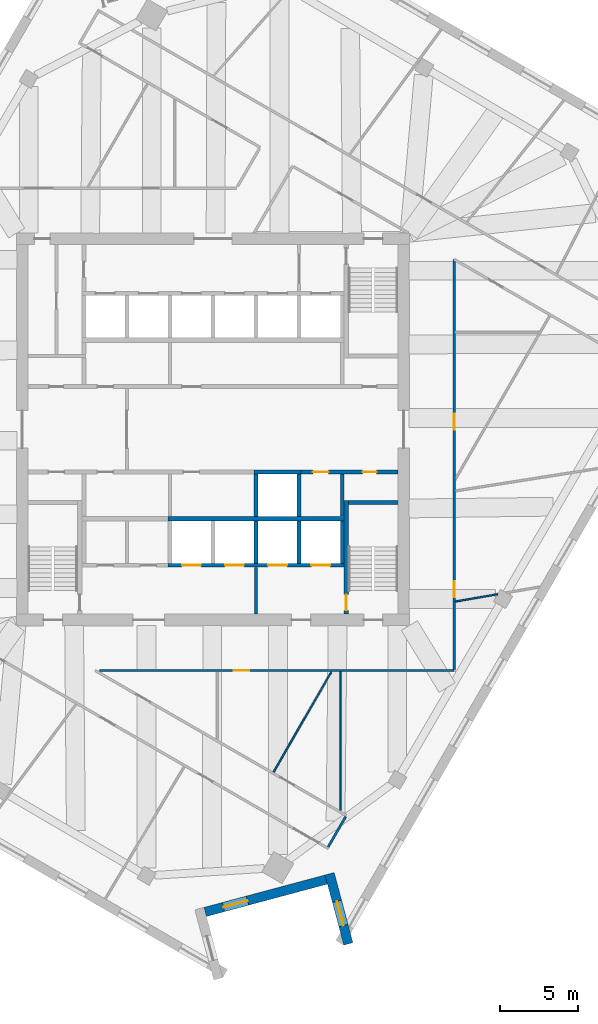
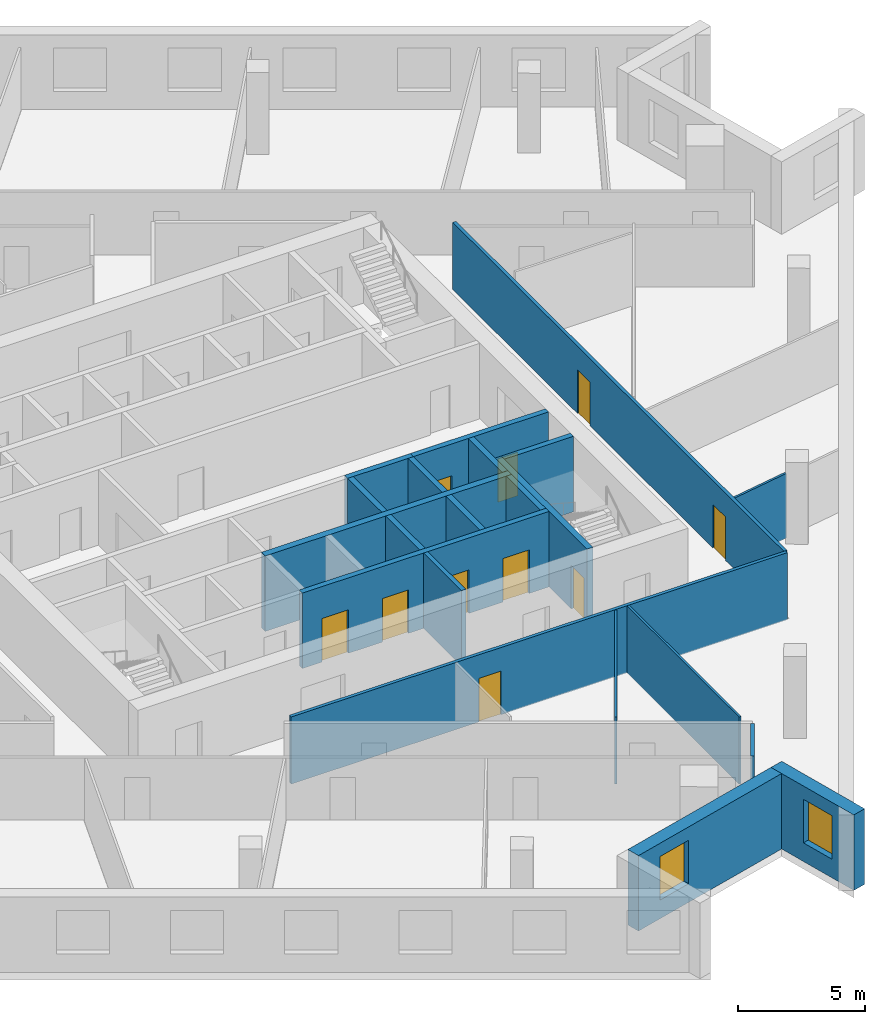
# One storey, part 7 of 13: 21 walls, 10 doors, 2 windows, 12 openings.
"""IFC4 building model written with IfcOpenShell, lengths in metres."""

from ifc_helpers import new_model, si_unit, direction, frame, frame_2d, origin, place, context, subcontext, project, spatial, rectangle, extrude, material, layer, layer_set, type_object, element, fill, save


model = new_model("IFC4")

# Units and contexts
model_context = context("Model", 3, precision=1e-05, world=origin(), true_north=direction((0.0, 1.0)))
body_context = subcontext(model_context, "Body", "Model", "MODEL_VIEW")
ifc_project = project(units=[si_unit("LENGTHUNIT", "METRE"), si_unit("AREAUNIT", "SQUARE_METRE"), si_unit("VOLUMEUNIT", "CUBIC_METRE"), si_unit("PLANEANGLEUNIT", "RADIAN"), si_unit("MASSUNIT", "GRAM", prefix="KILO")], contexts=[model_context])

# Site, building, storey
site_placement = place(None, origin())
site = spatial("IfcSite", under=ifc_project, at=site_placement, CompositionType="ELEMENT")
building_placement = place(site_placement, origin())
building = spatial("IfcBuilding", under=site, at=building_placement, Name="Dilmun Exchange Tower", CompositionType="ELEMENT")
storey_placement = place(building_placement, frame((0.0, 0.0, 270.89990234375)))
storey = spatial("IfcBuildingStorey", under=building, at=storey_placement, Name="L64", CompositionType="ELEMENT", Elevation=270.89990234375)

# Walls
ifc_material_1 = material(Name="Concrete C40/50", Category="concrete")
ifc_layer_1 = layer(ifc_material_1, 0.199951171875)
ifc_layer_set_1 = layer_set([ifc_layer_1], Name="Concrete C40/50")
wall_type_1 = type_object("IfcWallType", Name="Core partition wall 200", PredefinedType="PARTITIONING", material=ifc_layer_set_1)
wall_1_placement = place(storey_placement, frame((2.75, -11.794921875, 0.0), z_axis=(0.0, 0.0, 1.0), x_axis=(0.0, 1.0, 0.0)))
element("IfcWall", 1, at=wall_1_placement, inside=storey, type_object=wall_type_1, Name="L64 core partition wall 01", PredefinedType="PARTITIONING", context=body_context, shape_type="SweptSolid", body=[
    extrude(rectangle(XDim=2.989990234375, YDim=0.199951171875, at=frame_2d((1.4951171875, 0.0))), origin(), (0.0, 0.0, 1.0), 3.64013671875),
])
ifc_layer_2 = layer(ifc_material_1, 0.25)
ifc_layer_set_2 = layer_set([ifc_layer_2], Name="Concrete C40/50")
wall_type_2 = type_object("IfcWallType", Name="Core partition wall 250", PredefinedType="PARTITIONING", material=ifc_layer_set_2)
wall_2_placement = place(storey_placement, frame((8.25, -5.544921875, 0.0), z_axis=(0.0, 0.0, 1.0), x_axis=(0.0, 1.0, 0.0)))
element("IfcWall", 2, at=wall_2_placement, inside=storey, type_object=wall_type_2, Name="L64 core partition wall 08", PredefinedType="PARTITIONING", context=body_context, shape_type="SweptSolid", body=[
    extrude(rectangle(XDim=2.68994140625, YDim=0.25, at=frame_2d((1.344970703125, 0.0))), origin(), (0.0, 0.0, 1.0), 3.64013671875),
])

# Wall, openings, doors
wall_3_placement = place(storey_placement, frame((5.6298828125, -2.72509765625, 0.0), z_axis=(0.0, 0.0, 1.0), x_axis=(1.0, 0.0, 0.0)))
wall_3 = element("IfcWall", 3, at=wall_3_placement, inside=storey, type_object=wall_type_2, Name="L64 core partition wall 10", PredefinedType="PARTITIONING", context=body_context, shape_type="SweptSolid", body=[
    extrude(rectangle(XDim=6.1650390625, YDim=0.25, at=frame_2d((3.08251953125, 0.0))), origin(), (0.0, 0.0, 1.0), 3.64013671875),
])
opening_1_placement = place(wall_3_placement, frame((0.7451171875, 0.0, 0.0)))
opening_1 = element("IfcOpeningElement", 4, at=opening_1_placement, cuts=wall_3, Name="Opening CD4", PredefinedType="OPENING", context=body_context, shape_type="SweptSolid", body=[
    extrude(rectangle(XDim=1.0, YDim=2.10009765625, at=frame_2d((0.5, 1.050048828125))), frame((0.0, 0.135009765625, 0.0), z_axis=(0.0, -1.0, 0.0), x_axis=(1.0, 0.0, 0.0)), (0.0, 0.0, 1.0), 0.27001953125),
])
opening_2_placement = place(wall_3_placement, frame((3.919921875, 0.0, 0.0)))
opening_2 = element("IfcOpeningElement", 5, at=opening_2_placement, cuts=wall_3, Name="Opening CD6", PredefinedType="OPENING", context=body_context, shape_type="SweptSolid", body=[
    extrude(rectangle(XDim=0.89990234375, YDim=2.10009765625, at=frame_2d((0.449951171875, 1.050048828125))), frame((0.0, 0.135009765625, 0.0), z_axis=(0.0, -1.0, 0.0), x_axis=(1.0, 0.0, 0.0)), (0.0, 0.0, 1.0), 0.27001953125),
])
ifc_material_2 = material(Name="Fire-rated steel door set", Category="steel")
door_type_1 = type_object("IfcDoorType", Name="Core room door 1000x2100", OperationType="SINGLE_SWING_LEFT", PredefinedType="DOOR", material=ifc_material_2)
door_1_placement = place(opening_1_placement, origin())
door_1 = element("IfcDoor", 6, at=door_1_placement, inside=storey, type_object=door_type_1, Name="L64 door Cleaners' store", OperationType="SINGLE_SWING_LEFT", OverallHeight=2.10009765625, OverallWidth=1.0, PredefinedType="DOOR", context=body_context, shape_type="SweptSolid", body=[
    extrude(rectangle(XDim=1.0, YDim=2.10009765625, at=frame_2d((0.5, 1.050048828125))), frame((0.0, 0.02490234375, 0.0), z_axis=(0.0, -1.0, 0.0), x_axis=(1.0, 0.0, 0.0)), (0.0, 0.0, 1.0), 0.050048828125),
])
fill(opening_1, door_1)
door_type_2 = type_object("IfcDoorType", Name="Core room door 900x2100", OperationType="SINGLE_SWING_LEFT", PredefinedType="DOOR", material=ifc_material_2)
door_2_placement = place(opening_2_placement, origin())
door_2 = element("IfcDoor", 7, at=door_2_placement, inside=storey, type_object=door_type_2, Name="L64 door Comms riser", OperationType="SINGLE_SWING_LEFT", OverallHeight=2.10009765625, OverallWidth=0.89990234375, PredefinedType="DOOR", context=body_context, shape_type="SweptSolid", body=[
    extrude(rectangle(XDim=0.89990234375, YDim=2.10009765625, at=frame_2d((0.449951171875, 1.050048828125))), frame((0.0, 0.02490234375, 0.0), z_axis=(0.0, -1.0, 0.0), x_axis=(1.0, 0.0, 0.0)), (0.0, 0.0, 1.0), 0.050048828125),
])
fill(opening_2, door_2)

# Wall, opening, door
ifc_material_3 = material(Name="Corridor wall 150")
ifc_layer_3 = layer(ifc_material_3, 0.14990234375)
ifc_layer_set_3 = layer_set([ifc_layer_3], Name="Corridor wall 150")
wall_type_3 = type_object("IfcWallType", Name="Corridor wall 150", PredefinedType="PARTITIONING", material=ifc_layer_set_3)
wall_4_placement = place(storey_placement, frame((-7.239990234375, -15.39990234375, 0.0), z_axis=(0.0, 0.0, 1.0), x_axis=(1.0, 0.0, 0.0)))
wall_4 = element("IfcWall", 8, at=wall_4_placement, inside=storey, type_object=wall_type_3, Name="Corridor wall", PredefinedType="PARTITIONING", context=body_context, shape_type="SweptSolid", body=[
    extrude(rectangle(XDim=22.639892578125, YDim=0.14990234375, at=frame_2d((11.31982421875, 0.0))), origin(), (0.0, 0.0, 1.0), 3.239990234375),
])
opening_3_placement = place(wall_4_placement, frame((8.568359375, 0.0, 0.0)))
opening_3 = element("IfcOpeningElement", 9, at=opening_3_placement, cuts=wall_4, Name="Opening TF62-D11", PredefinedType="OPENING", context=body_context, shape_type="SweptSolid", body=[
    extrude(rectangle(XDim=1.0, YDim=2.10009765625, at=frame_2d((0.5, 1.050048828125))), frame((0.0, 0.0849609375, 0.0), z_axis=(0.0, -1.0, 0.0), x_axis=(1.0, 0.0, 0.0)), (0.0, 0.0, 1.0), 0.169921875),
])
ifc_material_4 = material(Name="Fire door 1000 x 2100")
door_type_3 = type_object("IfcDoorType", Name="Fire door 1000 x 2100", OperationType="NOTDEFINED", PredefinedType="DOOR", material=ifc_material_4)
door_3_placement = place(opening_3_placement, frame((1.0, 0.0, 0.0), z_axis=(0.0, 0.0, 1.0), x_axis=(-1.0, 0.0, 0.0)))
door_3 = element("IfcDoor", 10, at=door_3_placement, inside=storey, type_object=door_type_3, Name="Door TF62-D11", OperationType="SINGLE_SWING_RIGHT", OverallHeight=2.10009765625, OverallWidth=1.0, PredefinedType="DOOR", context=body_context, shape_type="SweptSolid", body=[
    extrude(rectangle(XDim=1.0, YDim=2.10009765625, at=frame_2d((0.5, 1.050048828125))), frame((0.0, 0.02490234375, 0.0), z_axis=(0.0, -1.0, 0.0), x_axis=(1.0, 0.0, 0.0)), (0.0, 0.0, 1.0), 0.050048828125),
])
fill(opening_3, door_3)

# Wall
wall_5_placement = place(storey_placement, frame((7.349609375, -26.669921875, 0.0), z_axis=(0.0, 0.0, 1.0), x_axis=(0.499919672301, 0.866071776036, 0.0)))
element("IfcWall", 11, at=wall_5_placement, inside=storey, type_object=wall_type_3, Name="Corridor wall", PredefinedType="PARTITIONING", context=body_context, shape_type="SweptSolid", body=[
    extrude(rectangle(XDim=2.250244140625, YDim=0.14990234375, at=frame_2d((1.125, 0.0))), origin(), (0.0, 0.0, 1.0), 3.0400390625),
])

# Wall, openings, doors
wall_6_placement = place(storey_placement, frame((15.39990234375, -15.324951171875, 0.0), z_axis=(0.0, 0.0, 1.0), x_axis=(0.0, 1.0, 0.0)))
wall_6 = element("IfcWall", 12, at=wall_6_placement, inside=storey, type_object=wall_type_3, Name="Corridor wall", PredefinedType="PARTITIONING", context=body_context, shape_type="SweptSolid", body=[
    extrude(rectangle(XDim=26.175048828125, YDim=0.14990234375, at=frame_2d((13.08740234375, 0.0))), origin(), (0.0, 0.0, 1.0), 3.239990234375),
])
opening_4_placement = place(wall_6_placement, frame((15.31201171875, 0.0, 0.0)))
opening_4 = element("IfcOpeningElement", 13, at=opening_4_placement, cuts=wall_6, Name="Opening TF62-D18", PredefinedType="OPENING", context=body_context, shape_type="SweptSolid", body=[
    extrude(rectangle(XDim=1.0, YDim=2.10009765625, at=frame_2d((0.5, 1.050048828125))), frame((0.0, 0.0849609375, 0.0), z_axis=(0.0, -1.0, 0.0), x_axis=(1.0, 0.0, 0.0)), (0.0, 0.0, 1.0), 0.169921875),
])
opening_5_placement = place(wall_6_placement, frame((4.618896484375, 0.0, 0.0)))
opening_5 = element("IfcOpeningElement", 14, at=opening_5_placement, cuts=wall_6, Name="Opening TF62-D20", PredefinedType="OPENING", context=body_context, shape_type="SweptSolid", body=[
    extrude(rectangle(XDim=1.0, YDim=2.10009765625, at=frame_2d((0.5, 1.050048828125))), frame((0.0, 0.0849609375, 0.0), z_axis=(0.0, -1.0, 0.0), x_axis=(1.0, 0.0, 0.0)), (0.0, 0.0, 1.0), 0.169921875),
])
door_4_placement = place(opening_4_placement, frame((1.0, 0.0, 0.0), z_axis=(0.0, 0.0, 1.0), x_axis=(-1.0, 0.0, 0.0)))
door_4 = element("IfcDoor", 15, at=door_4_placement, inside=storey, type_object=door_type_3, Name="Door TF62-D18", OperationType="SINGLE_SWING_LEFT", OverallHeight=2.10009765625, OverallWidth=1.0, PredefinedType="DOOR", context=body_context, shape_type="SweptSolid", body=[
    extrude(rectangle(XDim=1.0, YDim=2.10009765625, at=frame_2d((0.5, 1.050048828125))), frame((0.0, 0.02490234375, 0.0), z_axis=(0.0, -1.0, 0.0), x_axis=(1.0, 0.0, 0.0)), (0.0, 0.0, 1.0), 0.050048828125),
])
fill(opening_4, door_4)
door_5_placement = place(opening_5_placement, frame((1.0, 0.0, 0.0), z_axis=(0.0, 0.0, 1.0), x_axis=(-1.0, 0.0, 0.0)))
door_5 = element("IfcDoor", 16, at=door_5_placement, inside=storey, type_object=door_type_3, Name="Door TF62-D20", OperationType="SINGLE_SWING_LEFT", OverallHeight=2.10009765625, OverallWidth=1.0, PredefinedType="DOOR", context=body_context, shape_type="SweptSolid", body=[
    extrude(rectangle(XDim=1.0, YDim=2.10009765625, at=frame_2d((0.5, 1.050048828125))), frame((0.0, 0.02490234375, 0.0), z_axis=(0.0, -1.0, 0.0), x_axis=(1.0, 0.0, 0.0)), (0.0, 0.0, 1.0), 0.050048828125),
])
fill(opening_5, door_5)

# Walls
ifc_layer_4 = layer(ifc_material_1, 0.300048828125)
ifc_layer_set_4 = layer_set([ifc_layer_4], Name="Concrete C40/50")
wall_type_4 = type_object("IfcWallType", Name="Lift shaft shared wall 300", PredefinedType="SOLIDWALL", material=ifc_layer_set_4)
wall_7_placement = place(storey_placement, frame((-2.875, -5.699951171875, 0.0), z_axis=(0.0, 0.0, 1.0), x_axis=(1.0, 0.0, 0.0)))
element("IfcWall", 17, at=wall_7_placement, inside=storey, type_object=wall_type_4, Name="L64 lift shaft rear wall S", PredefinedType="SOLIDWALL", context=body_context, shape_type="SweptSolid", body=[
    extrude(rectangle(XDim=11.25, YDim=0.300048828125, at=frame_2d((5.625, 0.0))), origin(), (0.0, 0.0, 1.0), 3.64013671875),
])
ifc_layer_5 = layer(ifc_material_1, 0.25)
ifc_layer_set_5 = layer_set([ifc_layer_5], Name="Concrete C40/50")
wall_type_5 = type_object("IfcWallType", Name="Lift shaft wall 250", PredefinedType="SOLIDWALL", material=ifc_layer_set_5)
wall_8_placement = place(storey_placement, frame((2.625, -2.72509765625, 0.0), z_axis=(0.0, 0.0, 1.0), x_axis=(1.0, 0.0, 0.0)))
element("IfcWall", 18, at=wall_8_placement, inside=storey, type_object=wall_type_5, Name="L64 lift shaft front wall S1", PredefinedType="SOLIDWALL", context=body_context, shape_type="SweptSolid", body=[
    extrude(rectangle(XDim=3.0, YDim=0.25, at=frame_2d((1.5, 0.0))), origin(), (0.0, 0.0, 1.0), 3.64013671875),
])
for number, where, z_axis, x_axis, name in (
    (19, (2.75, -5.550048828125, 0.0), (0.0, 0.0, 1.0), (0.0, 1.0, 0.0), "L64 lift shaft divider S14"),
    (20, (5.5, -5.550048828125, 0.0), (0.0, 0.0, 1.0), (0.0, 1.0, 0.0), "L64 lift shaft divider S15"),
):
    element("IfcWall", number, at=place(storey_placement, frame(where, z_axis=z_axis, x_axis=x_axis)), inside=storey, type_object=wall_type_5, Name=name, PredefinedType="SOLIDWALL", context=body_context, shape_type="SweptSolid", body=[
        extrude(rectangle(XDim=2.699951171875, YDim=0.25, at=frame_2d((1.35009765625, 0.0))), origin(), (0.0, 0.0, 1.0), 3.64013671875),
    ])

# Wall, openings, doors
wall_9_placement = place(storey_placement, frame((-2.875, -8.675048828125, 0.0), z_axis=(0.0, 0.0, 1.0), x_axis=(1.0, 0.0, 0.0)))
wall_9 = element("IfcWall", 21, at=wall_9_placement, inside=storey, type_object=wall_type_5, Name="L64 lift shaft front wall S2", PredefinedType="SOLIDWALL", context=body_context, shape_type="SweptSolid", body=[
    extrude(rectangle(XDim=11.25, YDim=0.25, at=frame_2d((5.625, 0.0))), origin(), (0.0, 0.0, 1.0), 3.64013671875),
])
opening_6_placement = place(wall_9_placement, frame((0.89990234375, 0.0, 0.0)))
opening_6 = element("IfcOpeningElement", 22, at=opening_6_placement, cuts=wall_9, Name="Opening LD", PredefinedType="OPENING", context=body_context, shape_type="SweptSolid", body=[
    extrude(rectangle(XDim=1.199951171875, YDim=2.10009765625, at=frame_2d((0.60009765625, 1.050048828125))), frame((0.0, 0.135009765625, 0.0), z_axis=(0.0, -1.0, 0.0), x_axis=(1.0, 0.0, 0.0)), (0.0, 0.0, 1.0), 0.27001953125),
])
opening_7_placement = place(wall_9_placement, frame((3.64990234375, 0.0, 0.0)))
opening_7 = element("IfcOpeningElement", 23, at=opening_7_placement, cuts=wall_9, Name="Opening LD", PredefinedType="OPENING", context=body_context, shape_type="SweptSolid", body=[
    extrude(rectangle(XDim=1.199951171875, YDim=2.10009765625, at=frame_2d((0.60009765625, 1.050048828125))), frame((0.0, 0.135009765625, 0.0), z_axis=(0.0, -1.0, 0.0), x_axis=(1.0, 0.0, 0.0)), (0.0, 0.0, 1.0), 0.27001953125),
])
opening_8_placement = place(wall_9_placement, frame((6.39990234375, 0.0, 0.0)))
opening_8 = element("IfcOpeningElement", 24, at=opening_8_placement, cuts=wall_9, Name="Opening LD", PredefinedType="OPENING", context=body_context, shape_type="SweptSolid", body=[
    extrude(rectangle(XDim=1.199951171875, YDim=2.10009765625, at=frame_2d((0.60009765625, 1.050048828125))), frame((0.0, 0.135009765625, 0.0), z_axis=(0.0, -1.0, 0.0), x_axis=(1.0, 0.0, 0.0)), (0.0, 0.0, 1.0), 0.27001953125),
])
opening_9_placement = place(wall_9_placement, frame((9.14990234375, 0.0, 0.0)))
opening_9 = element("IfcOpeningElement", 25, at=opening_9_placement, cuts=wall_9, Name="Opening LD", PredefinedType="OPENING", context=body_context, shape_type="SweptSolid", body=[
    extrude(rectangle(XDim=1.199951171875, YDim=2.10009765625, at=frame_2d((0.60009765625, 1.050048828125))), frame((0.0, 0.135009765625, 0.0), z_axis=(0.0, -1.0, 0.0), x_axis=(1.0, 0.0, 0.0)), (0.0, 0.0, 1.0), 0.27001953125),
])
door_type_4 = type_object("IfcDoorType", Name="Lift landing door 1200x2100", OperationType="DOUBLE_DOOR_SLIDING", PredefinedType="DOOR", material=ifc_material_2)
door_6_placement = place(opening_6_placement, origin())
door_6 = element("IfcDoor", 26, at=door_6_placement, inside=storey, type_object=door_type_4, Name="L64 landing door SV1", OperationType="DOUBLE_DOOR_SLIDING", OverallHeight=2.10009765625, OverallWidth=1.199951171875, PredefinedType="DOOR", context=body_context, shape_type="SweptSolid", body=[
    extrude(rectangle(XDim=1.199951171875, YDim=2.10009765625, at=frame_2d((0.60009765625, 1.050048828125))), frame((0.0, 0.02490234375, 0.0), z_axis=(0.0, -1.0, 0.0), x_axis=(1.0, 0.0, 0.0)), (0.0, 0.0, 1.0), 0.050048828125),
])
fill(opening_6, door_6)
door_7_placement = place(opening_7_placement, origin())
door_7 = element("IfcDoor", 27, at=door_7_placement, inside=storey, type_object=door_type_4, Name="L64 landing door SV2", OperationType="DOUBLE_DOOR_SLIDING", OverallHeight=2.10009765625, OverallWidth=1.199951171875, PredefinedType="DOOR", context=body_context, shape_type="SweptSolid", body=[
    extrude(rectangle(XDim=1.199951171875, YDim=2.10009765625, at=frame_2d((0.60009765625, 1.050048828125))), frame((0.0, 0.02490234375, 0.0), z_axis=(0.0, -1.0, 0.0), x_axis=(1.0, 0.0, 0.0)), (0.0, 0.0, 1.0), 0.050048828125),
])
fill(opening_7, door_7)
door_8_placement = place(opening_8_placement, origin())
door_8 = element("IfcDoor", 28, at=door_8_placement, inside=storey, type_object=door_type_4, Name="L64 landing door FF1", OperationType="DOUBLE_DOOR_SLIDING", OverallHeight=2.10009765625, OverallWidth=1.199951171875, PredefinedType="DOOR", context=body_context, shape_type="SweptSolid", body=[
    extrude(rectangle(XDim=1.199951171875, YDim=2.10009765625, at=frame_2d((0.60009765625, 1.050048828125))), frame((0.0, 0.02490234375, 0.0), z_axis=(0.0, -1.0, 0.0), x_axis=(1.0, 0.0, 0.0)), (0.0, 0.0, 1.0), 0.050048828125),
])
fill(opening_8, door_8)
door_9_placement = place(opening_9_placement, origin())
door_9 = element("IfcDoor", 29, at=door_9_placement, inside=storey, type_object=door_type_4, Name="L64 landing door FF2", OperationType="DOUBLE_DOOR_SLIDING", OverallHeight=2.10009765625, OverallWidth=1.199951171875, PredefinedType="DOOR", context=body_context, shape_type="SweptSolid", body=[
    extrude(rectangle(XDim=1.199951171875, YDim=2.10009765625, at=frame_2d((0.60009765625, 1.050048828125))), frame((0.0, 0.02490234375, 0.0), z_axis=(0.0, -1.0, 0.0), x_axis=(1.0, 0.0, 0.0)), (0.0, 0.0, 1.0), 0.050048828125),
])
fill(opening_9, door_9)

# Walls
for number, where, z_axis, x_axis, name in (
    (30, (2.75, -8.550048828125, 0.0), (0.0, 0.0, 1.0), (0.0, 1.0, 0.0), "L64 lift shaft divider S24"),
    (31, (5.5, -8.550048828125, 0.0), (0.0, 0.0, 1.0), (0.0, 1.0, 0.0), "L64 lift shaft divider S25"),
    (32, (8.25, -8.550048828125, 0.0), (0.0, 0.0, 1.0), (0.0, 1.0, 0.0), "L64 lift shaft divider S26"),
):
    element("IfcWall", number, at=place(storey_placement, frame(where, z_axis=z_axis, x_axis=x_axis)), inside=storey, type_object=wall_type_5, Name=name, PredefinedType="SOLIDWALL", context=body_context, shape_type="SweptSolid", body=[
        extrude(rectangle(XDim=2.699951171875, YDim=0.25, at=frame_2d((1.35009765625, 0.0))), origin(), (0.0, 0.0, 1.0), 3.64013671875),
    ])
ifc_material_5 = material(Name="Partition 100")
ifc_layer_6 = layer(ifc_material_5, 0.10009765625)
ifc_layer_set_6 = layer_set([ifc_layer_6], Name="Partition 100")
wall_type_6 = type_object("IfcWallType", Name="Partition 100", PredefinedType="PARTITIONING", material=ifc_layer_set_6)
wall_10_placement = place(storey_placement, frame((3.862548828125, -21.885009765625, 0.0), z_axis=(0.0, 0.0, 1.0), x_axis=(0.500038702166, 0.866003057926, 0.0)))
element("IfcWall", 33, at=wall_10_placement, inside=storey, type_object=wall_type_6, Name="Partition", PredefinedType="PARTITIONING", context=body_context, shape_type="SweptSolid", body=[
    extrude(rectangle(XDim=7.373046875, YDim=0.10009765625, at=frame_2d((3.6865234375, 0.0))), origin(), (0.0, 0.0, 1.0), 3.239990234375),
])
wall_11_placement = place(storey_placement, frame((8.135009765625, -24.322509765625, 0.0), z_axis=(0.0, 0.0, 1.0), x_axis=(0.0, 1.0, 0.0)))
element("IfcWall", 34, at=wall_11_placement, inside=storey, type_object=wall_type_6, Name="Partition", PredefinedType="PARTITIONING", context=body_context, shape_type="SweptSolid", body=[
    extrude(rectangle(XDim=8.847412109375, YDim=0.10009765625, at=frame_2d((4.423828125, 0.0))), origin(), (0.0, 0.0, 1.0), 3.239990234375),
])
wall_12_placement = place(storey_placement, frame((15.4833984375, -10.99169921875, 0.0), z_axis=(0.0, 0.0, 1.0), x_axis=(0.98545132529, 0.169957893267, 0.0)))
element("IfcWall", 35, at=wall_12_placement, inside=storey, type_object=wall_type_6, Name="Partition", PredefinedType="PARTITIONING", context=body_context, shape_type="SweptSolid", body=[
    extrude(rectangle(XDim=2.726318359375, YDim=0.10009765625, at=frame_2d((1.36328125, 0.0))), origin(), (0.0, 0.0, 1.0), 3.1201171875),
])

# Wall, opening, window
ifc_material_6 = material(Name="Precast concrete C50/60", Category="concrete")
ifc_layer_7 = layer(ifc_material_6, 0.60009765625)
ifc_layer_set_7 = layer_set([ifc_layer_7], Name="Precast concrete C50/60")
wall_type_7 = type_object("IfcWallType", Name="Precast stone-clad wall 600", PredefinedType="STANDARD", material=ifc_layer_set_7)
wall_13_placement = place(storey_placement, frame((-0.496337890625, -30.814453125, 0.0), z_axis=(0.0, 0.0, 1.0), x_axis=(0.965926801599, 0.258815405168, 0.0)))
wall_13 = element("IfcWall", 36, at=wall_13_placement, inside=storey, type_object=wall_type_7, Name="Facade wall L64-09", PredefinedType="STANDARD", context=body_context, shape_type="SweptSolid", body=[
    extrude(rectangle(XDim=8.000244140625, YDim=0.60009765625, at=frame_2d((4.0, 0.0))), origin(), (0.0, 0.0, 1.0), 3.64013671875),
])
opening_10_placement = place(wall_13_placement, frame((1.199951171875, 0.0, 0.89990234375)))
opening_10 = element("IfcOpeningElement", 37, at=opening_10_placement, cuts=wall_13, Name="Opening W160-210", PredefinedType="OPENING", context=body_context, shape_type="SweptSolid", body=[
    extrude(rectangle(XDim=1.60009765625, YDim=2.10009765625, at=frame_2d((0.800048828125, 1.050048828125))), frame((0.0, 0.31005859375, 0.0), z_axis=(0.0, -1.0, 0.0), x_axis=(1.0, 0.0, 0.0)), (0.0, 0.0, 1.0), 0.6201171875),
])
ifc_material_7 = material(Name="Clear low-emissivity glass in aluminium frame", Category="aluminium")
window_type = type_object("IfcWindowType", Name="Punched window 1600 x 2100", PartitioningType="DOUBLE_PANEL_VERTICAL", PredefinedType="WINDOW", material=ifc_material_7)
window_1_placement = place(opening_10_placement, origin())
window_1 = element("IfcWindow", 38, at=window_1_placement, inside=storey, type_object=window_type, Name="Window 10.1", OverallHeight=2.10009765625, OverallWidth=1.60009765625, PartitioningType="SINGLE_PANEL", PredefinedType="WINDOW", context=body_context, shape_type="SweptSolid", body=[
    extrude(rectangle(XDim=1.60009765625, YDim=2.10009765625, at=frame_2d((0.800048828125, 1.050048828125))), frame((0.0, 0.030029296875, 0.0), z_axis=(0.0, -1.0, 0.0), x_axis=(1.0, 0.0, 0.0)), (0.0, 0.0, 1.0), 0.06005859375),
])
fill(opening_10, window_1)

wall_14_placement = place(storey_placement, frame((7.443115234375, -28.376708984375, 0.0), z_axis=(0.0, 0.0, 1.0), x_axis=(0.258872105846, -0.965911607144, 0.0)))
wall_14 = element("IfcWall", 39, at=wall_14_placement, inside=storey, type_object=wall_type_7, Name="Facade wall L64-10", PredefinedType="STANDARD", context=body_context, shape_type="SweptSolid", body=[
    extrude(rectangle(XDim=4.63525390625, YDim=0.60009765625, at=frame_2d((2.317626953125, 0.0))), origin(), (0.0, 0.0, 1.0), 3.64013671875),
])
opening_11_placement = place(wall_14_placement, frame((1.81787109375, 0.0, 0.89990234375)))
opening_11 = element("IfcOpeningElement", 40, at=opening_11_placement, cuts=wall_14, Name="Opening W160-210", PredefinedType="OPENING", context=body_context, shape_type="SweptSolid", body=[
    extrude(rectangle(XDim=1.60009765625, YDim=2.10009765625, at=frame_2d((0.800048828125, 1.050048828125))), frame((0.0, 0.31005859375, 0.0), z_axis=(0.0, -1.0, 0.0), x_axis=(1.0, 0.0, 0.0)), (0.0, 0.0, 1.0), 0.6201171875),
])
window_2_placement = place(opening_11_placement, origin())
window_2 = element("IfcWindow", 41, at=window_2_placement, inside=storey, type_object=window_type, Name="Window 11.1", OverallHeight=2.10009765625, OverallWidth=1.60009765625, PartitioningType="SINGLE_PANEL", PredefinedType="WINDOW", context=body_context, shape_type="SweptSolid", body=[
    extrude(rectangle(XDim=1.60009765625, YDim=2.10009765625, at=frame_2d((0.800048828125, 1.050048828125))), frame((0.0, 0.030029296875, 0.0), z_axis=(0.0, -1.0, 0.0), x_axis=(1.0, 0.0, 0.0)), (0.0, 0.0, 1.0), 0.06005859375),
])
fill(opening_11, window_2)

# Wall
ifc_layer_8 = layer(ifc_material_1, 0.25)
ifc_layer_set_8 = layer_set([ifc_layer_8], Name="Concrete C40/50")
wall_type_8 = type_object("IfcWallType", Name="Stair end wall 250", PredefinedType="SOLIDWALL", material=ifc_layer_set_8)
wall_15_placement = place(storey_placement, frame((8.64990234375, -4.675048828125, 0.0), z_axis=(0.0, 0.0, 1.0), x_axis=(1.0, 0.0, 0.0)))
element("IfcWall", 42, at=wall_15_placement, inside=storey, type_object=wall_type_8, Name="L64 ST3 far wall", PredefinedType="SOLIDWALL", context=body_context, shape_type="SweptSolid", body=[
    extrude(rectangle(XDim=3.150146484375, YDim=0.25, at=frame_2d((1.5751953125, 0.0))), origin(), (0.0, 0.0, 1.0), 3.64013671875),
])

# Wall, opening, door
ifc_layer_9 = layer(ifc_material_1, 0.27490234375)
ifc_layer_set_9 = layer_set([ifc_layer_9], Name="Concrete C40/50")
wall_type_9 = type_object("IfcWallType", Name="Stair wall 275", PredefinedType="SOLIDWALL", material=ifc_layer_set_9)
wall_16_placement = place(storey_placement, frame((8.512451171875, -4.550048828125, 0.0), z_axis=(0.0, 0.0, 1.0), x_axis=(0.0, -1.0, 0.0)))
wall_16 = element("IfcWall", 43, at=wall_16_placement, inside=storey, type_object=wall_type_9, Name="L64 ST3 wall to lift block", PredefinedType="SOLIDWALL", context=body_context, shape_type="SweptSolid", body=[
    extrude(rectangle(XDim=7.25, YDim=0.27490234375, at=frame_2d((3.625, 0.0))), origin(), (0.0, 0.0, 1.0), 3.64013671875),
])
opening_12_placement = place(wall_16_placement, frame((6.0, 0.0, 0.0)))
opening_12 = element("IfcOpeningElement", 44, at=opening_12_placement, cuts=wall_16, Name="Opening CD4", PredefinedType="OPENING", context=body_context, shape_type="SweptSolid", body=[
    extrude(rectangle(XDim=1.0, YDim=2.10009765625, at=frame_2d((0.5, 1.050048828125))), frame((0.0, 0.1474609375, 0.0), z_axis=(0.0, -1.0, 0.0), x_axis=(1.0, 0.0, 0.0)), (0.0, 0.0, 1.0), 0.294921875),
])
door_10_placement = place(opening_12_placement, origin())
door_10 = element("IfcDoor", 45, at=door_10_placement, inside=storey, type_object=door_type_1, Name="L64 door ST3 from lobby", OperationType="SINGLE_SWING_LEFT", OverallHeight=2.10009765625, OverallWidth=1.0, PredefinedType="DOOR", context=body_context, shape_type="SweptSolid", body=[
    extrude(rectangle(XDim=1.0, YDim=2.10009765625, at=frame_2d((0.5, 1.050048828125))), frame((0.0, 0.02490234375, 0.0), z_axis=(0.0, -1.0, 0.0), x_axis=(1.0, 0.0, 0.0)), (0.0, 0.0, 1.0), 0.050048828125),
])
fill(opening_12, door_10)

save(model, "model.ifc")
